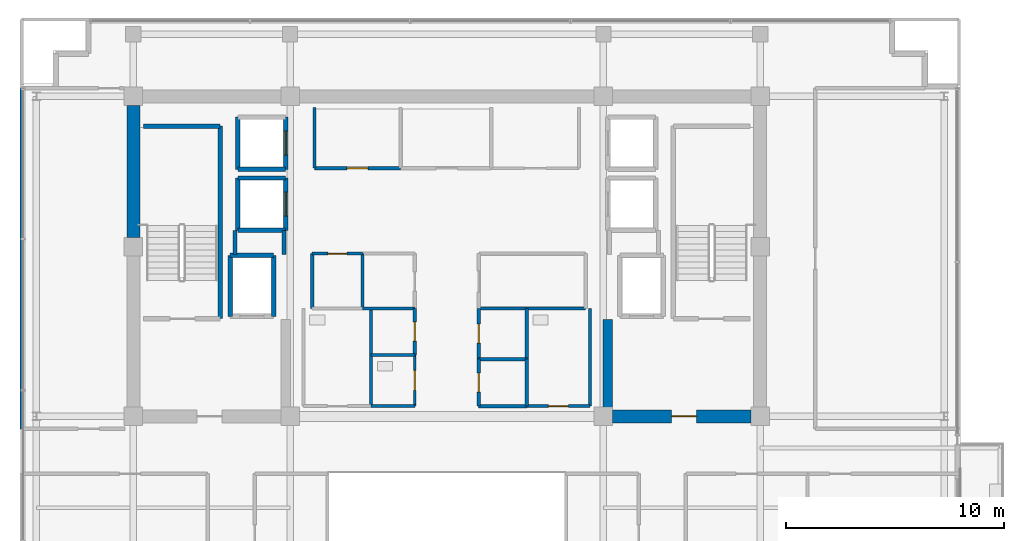
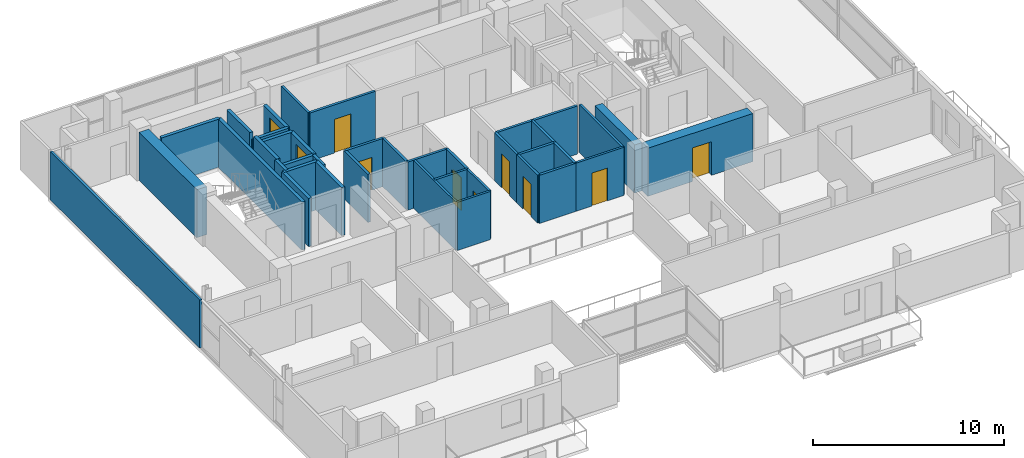
# One storey, part 16 of 22: 38 walls, 10 doors, 10 openings.
"""IFC4 building model written with IfcOpenShell, lengths in metres."""

from ifc_helpers import new_model, si_unit, direction, frame, frame_2d, origin, place, context, subcontext, project, spatial, rectangle, extrude, source, transform, mapped, material, layer, layer_set, type_object, element, fill, save


model = new_model("IFC4")

# Units and contexts
model_context = context("Model", 3, precision=1e-05, world=origin(), true_north=direction((0.0, 1.0)))
body_context = subcontext(model_context, "Body", "Model", "MODEL_VIEW")
ifc_project = project(units=[si_unit("LENGTHUNIT", "METRE"), si_unit("AREAUNIT", "SQUARE_METRE"), si_unit("VOLUMEUNIT", "CUBIC_METRE"), si_unit("PLANEANGLEUNIT", "RADIAN"), si_unit("MASSUNIT", "GRAM", prefix="KILO")], contexts=[model_context])

# Site, building, storey
site_placement = place(None, origin())
site = spatial("IfcSite", under=ifc_project, at=site_placement, CompositionType="ELEMENT")
building_placement = place(site_placement, origin())
building = spatial("IfcBuilding", under=site, at=building_placement, Name="Zarnakvel Exchange Tower", CompositionType="ELEMENT")
storey_placement = place(building_placement, frame((0.0, 0.0, 245.199951171875)))
storey = spatial("IfcBuildingStorey", under=building, at=storey_placement, Name="L69", CompositionType="ELEMENT", Elevation=245.199951171875)

# Wall
ifc_material_1 = material(Name="Concrete C50/60", Category="concrete")
ifc_layer_1 = layer(ifc_material_1, 0.60009765625)
ifc_layer_set_1 = layer_set([ifc_layer_1], Name="Concrete C50/60")
wall_type_1 = type_object("IfcWallType", Name="CW-C5", PredefinedType="SHEAR", material=ifc_layer_set_1)
wall_1_placement = place(storey_placement, frame((-14.39990234375, 7.02490234375, 0.0), z_axis=(0.0, 0.0, 1.0), x_axis=(0.0, 1.0, 0.0)))
element("IfcWall", 1, at=wall_1_placement, inside=storey, type_object=wall_type_1, Name="L69 Rear Core Shear Wall W2 (CW-C5)", PredefinedType="SHEAR", context=body_context, shape_type="SweptSolid", body=[
    extrude(rectangle(XDim=6.050048828125, YDim=0.60009765625, at=frame_2d((3.02490234375, 0.0))), origin(), (0.0, 0.0, 1.0), 3.074951171875),
])

# Wall, opening, door
wall_2_placement = place(storey_placement, frame((13.97509765625, -1.199951171875, 0.0), z_axis=(0.0, 0.0, 1.0), x_axis=(-1.0, 0.0, 0.0)))
wall_2 = element("IfcWall", 2, at=wall_2_placement, inside=storey, type_object=wall_type_1, Name="L69 Rear Core Shear Wall SE (CW-C5)", PredefinedType="SHEAR", context=body_context, shape_type="SweptSolid", body=[
    extrude(rectangle(XDim=6.35009765625, YDim=0.60009765625, at=frame_2d((3.175048828125, 0.0))), origin(), (0.0, 0.0, 1.0), 3.074951171875),
])
opening_1_placement = place(wall_2_placement, frame((2.5, 0.0, 0.0)))
opening_1 = element("IfcOpeningElement", 3, at=opening_1_placement, cuts=wall_2, Name="Opening D-L69-04", PredefinedType="OPENING", context=body_context, shape_type="SweptSolid", body=[
    extrude(rectangle(XDim=1.14990234375, YDim=2.14990234375, at=frame_2d((0.574951171875, 1.074951171875))), frame((0.0, 0.31005859375, 0.0), z_axis=(0.0, -1.0, 0.0), x_axis=(1.0, 0.0, 0.0)), (0.0, 0.0, 1.0), 0.6201171875),
])
ifc_material_2 = material(Name="Painted Galvanised Steel S355", Category="steel")
door_type_1 = type_object("IfcDoorType", Name="DT-04", OperationType="NOTDEFINED", PredefinedType="DOOR", material=ifc_material_2)
shared_shape_1 = source(origin(), body_context, "Body", "SweptSolid", [
    extrude(rectangle(XDim=1.14990234375, YDim=2.14990234375, at=frame_2d((0.574951171875, 1.074951171875))), frame((0.0, 0.02490234375, 0.0), z_axis=(0.0, -1.0, 0.0), x_axis=(1.0, 0.0, 0.0)), (0.0, 0.0, 1.0), 0.050048828125),
])
door_1_placement = place(opening_1_placement, origin())
door_1 = element("IfcDoor", 4, at=door_1_placement, inside=storey, type_object=door_type_1, Name="L69 Firefighting Lobby East Door D-L69-04", OperationType="SINGLE_SWING_RIGHT", OverallHeight=2.14990234375, OverallWidth=1.14990234375, PredefinedType="DOOR", context=body_context, shape_type="MappedRepresentation", body=[
    mapped(shared_shape_1, transform((0.0, 0.0, 0.0), x_axis=(1.0, 0.0, 0.0), y_axis=(0.0, 1.0, 0.0), z_axis=(0.0, 0.0, 1.0), scale=1.0)),
])
fill(opening_1, door_1)

# Wall
ifc_layer_2 = layer(ifc_material_1, 0.449951171875)
ifc_layer_set_2 = layer_set([ifc_layer_2], Name="Concrete C50/60")
wall_type_2 = type_object("IfcWallType", Name="CW-C6", PredefinedType="SHEAR", material=ifc_layer_set_2)
wall_3_placement = place(storey_placement, frame((7.39990234375, -0.89990234375, 0.0), z_axis=(0.0, 0.0, 1.0), x_axis=(0.0, 1.0, 0.0)))
element("IfcWall", 5, at=wall_3_placement, inside=storey, type_object=wall_type_2, Name="L69 Rear Core Shear Wall IE (CW-C6)", PredefinedType="SHEAR", context=body_context, shape_type="SweptSolid", body=[
    extrude(rectangle(XDim=4.14990234375, YDim=0.449951171875, at=frame_2d((2.074951171875, 0.0))), origin(), (0.0, 0.0, 1.0), 3.074951171875),
])

# Wall, opening, door
ifc_material_3 = material(Name="Fire-Rated Gypsum Stud Partition", Category="gypsum")
ifc_layer_3 = layer(ifc_material_3, 0.14990234375)
ifc_layer_set_3 = layer_set([ifc_layer_3], Name="Fire-Rated Gypsum Stud Partition")
wall_type_3 = type_object("IfcWallType", Name="PT-01", PredefinedType="PARTITIONING", material=ifc_layer_set_3)
wall_4_placement = place(storey_placement, frame((-2.1201171875, 10.199951171875, 0.0), z_axis=(0.0, 0.0, 1.0), x_axis=(-1.0, 0.0, 0.0)))
wall_4 = element("IfcWall", 6, at=wall_4_placement, inside=storey, type_object=wall_type_3, Name="L69 Partition Wall PWALL-L69-011 (PT-01)", PredefinedType="PARTITIONING", context=body_context, shape_type="SweptSolid", body=[
    extrude(rectangle(XDim=3.9599609375, YDim=0.14990234375, at=frame_2d((1.97998046875, 0.0))), origin(), (0.0, 0.0, 1.0), 3.074951171875),
])
opening_2_placement = place(wall_4_placement, frame((1.489990234375, 0.0, 0.0)))
opening_2 = element("IfcOpeningElement", 7, at=opening_2_placement, cuts=wall_4, Name="Opening D-L69-05", PredefinedType="OPENING", context=body_context, shape_type="SweptSolid", body=[
    extrude(rectangle(XDim=0.97998046875, YDim=2.14990234375, at=frame_2d((0.489990234375, 1.074951171875))), frame((0.0, 0.0849609375, 0.0), z_axis=(0.0, -1.0, 0.0), x_axis=(1.0, 0.0, 0.0)), (0.0, 0.0, 1.0), 0.169921875),
])
ifc_material_4 = material(Name="Timber Acoustic Veneer", Category="wood")
door_type_2 = type_object("IfcDoorType", Name="DT-05", OperationType="NOTDEFINED", PredefinedType="DOOR", material=ifc_material_4)
shared_shape_2 = source(origin(), body_context, "Body", "SweptSolid", [
    extrude(rectangle(XDim=0.97998046875, YDim=2.14990234375, at=frame_2d((0.489990234375, 1.074951171875))), frame((0.0, 0.02490234375, 0.0), z_axis=(0.0, -1.0, 0.0), x_axis=(1.0, 0.0, 0.0)), (0.0, 0.0, 1.0), 0.050048828125),
])
door_2_placement = place(opening_2_placement, origin())
door_2 = element("IfcDoor", 8, at=door_2_placement, inside=storey, type_object=door_type_2, Name="L69 Clearing Records Office Door D-L69-05", OperationType="SINGLE_SWING_LEFT", OverallHeight=2.14990234375, OverallWidth=0.97998046875, PredefinedType="DOOR", context=body_context, shape_type="MappedRepresentation", body=[
    mapped(shared_shape_2, transform((0.0, 0.0, 0.0), x_axis=(1.0, 0.0, 0.0), y_axis=(0.0, 1.0, 0.0), z_axis=(0.0, 0.0, 1.0), scale=1.0)),
])
fill(opening_2, door_2)

# Wall
wall_5_placement = place(storey_placement, frame((-6.080078125, 10.199951171875, 0.0), z_axis=(0.0, 0.0, 1.0), x_axis=(0.0, 1.0, 0.0)))
element("IfcWall", 9, at=wall_5_placement, inside=storey, type_object=wall_type_3, Name="L69 Partition Wall PWALL-L69-012 (PT-01)", PredefinedType="PARTITIONING", context=body_context, shape_type="SweptSolid", body=[
    extrude(rectangle(XDim=2.800048828125, YDim=0.14990234375, at=frame_2d((1.39990234375, 0.0))), origin(), (0.0, 0.0, 1.0), 3.074951171875),
])

# Wall, opening, door
wall_6_placement = place(storey_placement, frame((-6.179931640625, 6.280029296875, 0.0), z_axis=(0.0, 0.0, 1.0), x_axis=(1.0, 0.0, 0.0)))
wall_6 = element("IfcWall", 10, at=wall_6_placement, inside=storey, type_object=wall_type_3, Name="L69 Partition Wall PWALL-L69-019 (PT-01)", PredefinedType="PARTITIONING", context=body_context, shape_type="SweptSolid", body=[
    extrude(rectangle(XDim=2.309814453125, YDim=0.14990234375, at=frame_2d((1.15478515625, 0.0))), origin(), (0.0, 0.0, 1.0), 3.074951171875),
])
opening_3_placement = place(wall_6_placement, frame((0.719970703125, 0.0, 0.0)))
opening_3 = element("IfcOpeningElement", 11, at=opening_3_placement, cuts=wall_6, Name="Opening D-L69-08", PredefinedType="OPENING", context=body_context, shape_type="SweptSolid", body=[
    extrude(rectangle(XDim=0.8798828125, YDim=2.10009765625, at=frame_2d((0.43994140625, 1.050048828125))), frame((0.0, 0.0849609375, 0.0), z_axis=(0.0, -1.0, 0.0), x_axis=(1.0, 0.0, 0.0)), (0.0, 0.0, 1.0), 0.169921875),
])
door_type_3 = type_object("IfcDoorType", Name="DT-08", OperationType="NOTDEFINED", PredefinedType="DOOR", material=ifc_material_2)
shared_shape_3 = source(origin(), body_context, "Body", "SweptSolid", [
    extrude(rectangle(XDim=0.8798828125, YDim=2.10009765625, at=frame_2d((0.43994140625, 1.050048828125))), frame((0.0, 0.02490234375, 0.0), z_axis=(0.0, -1.0, 0.0), x_axis=(1.0, 0.0, 0.0)), (0.0, 0.0, 1.0), 0.050048828125),
])
door_3_placement = place(opening_3_placement, origin())
door_3 = element("IfcDoor", 12, at=door_3_placement, inside=storey, type_object=door_type_3, Name="L69 Audit Filing Store Door D-L69-08", OperationType="SINGLE_SWING_RIGHT", OverallHeight=2.10009765625, OverallWidth=0.8798828125, PredefinedType="DOOR", context=body_context, shape_type="MappedRepresentation", body=[
    mapped(shared_shape_3, transform((0.0, 0.0, 0.0), x_axis=(1.0, 0.0, 0.0), y_axis=(0.0, 1.0, 0.0), z_axis=(0.0, 0.0, 1.0), scale=1.0)),
])
fill(opening_3, door_3)

# Walls
for number, where, z_axis, x_axis, name in (
    (13, (-6.179931640625, 3.760009765625, 0.0), (0.0, 0.0, 1.0), (0.0, 1.0, 0.0), "L69 Partition Wall PWALL-L69-020 (PT-01)"),
    (14, (-3.8701171875, 6.280029296875, 0.0), (0.0, 0.0, 1.0), (0.0, -1.0, 0.0), "L69 Partition Wall PWALL-L69-021 (PT-01)"),
):
    element("IfcWall", number, at=place(storey_placement, frame(where, z_axis=z_axis, x_axis=x_axis)), inside=storey, type_object=wall_type_3, Name=name, PredefinedType="PARTITIONING", context=body_context, shape_type="SweptSolid", body=[
        extrude(rectangle(XDim=2.52001953125, YDim=0.14990234375, at=frame_2d((1.260009765625, 0.0))), origin(), (0.0, 0.0, 1.0), 3.074951171875),
    ])
wall_7_placement = place(storey_placement, frame((-1.469970703125, 3.760009765625, 0.0), z_axis=(0.0, 0.0, 1.0), x_axis=(-1.0, 0.0, 0.0)))
element("IfcWall", 15, at=wall_7_placement, inside=storey, type_object=wall_type_3, Name="L69 Partition Wall PWALL-L69-022 (PT-01)", PredefinedType="PARTITIONING", context=body_context, shape_type="SweptSolid", body=[
    extrude(rectangle(XDim=2.400146484375, YDim=0.14990234375, at=frame_2d((1.2001953125, 0.0))), origin(), (0.0, 0.0, 1.0), 3.074951171875),
])
wall_8_placement = place(storey_placement, frame((6.3798828125, 3.760009765625, 0.0), z_axis=(0.0, 0.0, 1.0), x_axis=(-1.0, 0.0, 0.0)))
element("IfcWall", 16, at=wall_8_placement, inside=storey, type_object=wall_type_3, Name="L69 Partition Wall PWALL-L69-025 (PT-01)", PredefinedType="PARTITIONING", context=body_context, shape_type="SweptSolid", body=[
    extrude(rectangle(XDim=4.909912109375, YDim=0.14990234375, at=frame_2d((2.455078125, 0.0))), origin(), (0.0, 0.0, 1.0), 3.074951171875),
])

# Wall, opening, door
wall_9_placement = place(storey_placement, frame((-1.469970703125, 3.760009765625, 0.0), z_axis=(0.0, 0.0, 1.0), x_axis=(0.0, -1.0, 0.0)))
wall_9 = element("IfcWall", 17, at=wall_9_placement, inside=storey, type_object=wall_type_3, Name="L69 Partition Wall PWALL-L69-035 (PT-01)", PredefinedType="PARTITIONING", context=body_context, shape_type="SweptSolid", body=[
    extrude(rectangle(XDim=2.130126953125, YDim=0.14990234375, at=frame_2d((1.06494140625, 0.0))), origin(), (0.0, 0.0, 1.0), 3.074951171875),
])
opening_4_placement = place(wall_9_placement, frame((0.6201171875, 0.0, 0.0)))
opening_4 = element("IfcOpeningElement", 18, at=opening_4_placement, cuts=wall_9, Name="Opening D-L69-13", PredefinedType="OPENING", context=body_context, shape_type="SweptSolid", body=[
    extrude(rectangle(XDim=0.8798828125, YDim=2.10009765625, at=frame_2d((0.43994140625, 1.050048828125))), frame((0.0, 0.0849609375, 0.0), z_axis=(0.0, -1.0, 0.0), x_axis=(1.0, 0.0, 0.0)), (0.0, 0.0, 1.0), 0.169921875),
])
door_4_placement = place(opening_4_placement, origin())
door_4 = element("IfcDoor", 19, at=door_4_placement, inside=storey, type_object=door_type_3, Name="L69 Core Comms Room Door D-L69-13", OperationType="SINGLE_SWING_LEFT", OverallHeight=2.10009765625, OverallWidth=0.8798828125, PredefinedType="DOOR", context=body_context, shape_type="MappedRepresentation", body=[
    mapped(shared_shape_3, transform((0.0, 0.0, 0.0), x_axis=(1.0, 0.0, 0.0), y_axis=(0.0, 1.0, 0.0), z_axis=(0.0, 0.0, 1.0), scale=1.0)),
])
fill(opening_4, door_4)

# Walls
for number, where, z_axis, x_axis, name in (
    (20, (3.679931640625, -0.72998046875, 0.0), (0.0, 0.0, 1.0), (-1.0, 0.0, 0.0), "L69 Partition Wall PWALL-L69-036 (PT-01)"),
    (21, (1.469970703125, 1.429931640625, 0.0), (0.0, 0.0, 1.0), (1.0, 0.0, 0.0), "L69 Partition Wall PWALL-L69-037 (PT-01)"),
):
    element("IfcWall", number, at=place(storey_placement, frame(where, z_axis=z_axis, x_axis=x_axis)), inside=storey, type_object=wall_type_3, Name=name, PredefinedType="PARTITIONING", context=body_context, shape_type="SweptSolid", body=[
        extrude(rectangle(XDim=2.2099609375, YDim=0.14990234375, at=frame_2d((1.10498046875, 0.0))), origin(), (0.0, 0.0, 1.0), 3.074951171875),
    ])

# Wall, opening, door
wall_10_placement = place(storey_placement, frame((1.469970703125, -0.72998046875, 0.0), z_axis=(0.0, 0.0, 1.0), x_axis=(0.0, 1.0, 0.0)))
wall_10 = element("IfcWall", 22, at=wall_10_placement, inside=storey, type_object=wall_type_3, Name="L69 Partition Wall PWALL-L69-038 (PT-01)", PredefinedType="PARTITIONING", context=body_context, shape_type="SweptSolid", body=[
    extrude(rectangle(XDim=2.159912109375, YDim=0.14990234375, at=frame_2d((1.080078125, 0.0))), origin(), (0.0, 0.0, 1.0), 3.074951171875),
])
opening_5_placement = place(wall_10_placement, frame((0.639892578125, 0.0, 0.0)))
opening_5 = element("IfcOpeningElement", 23, at=opening_5_placement, cuts=wall_10, Name="Opening D-L69-14", PredefinedType="OPENING", context=body_context, shape_type="SweptSolid", body=[
    extrude(rectangle(XDim=0.8798828125, YDim=2.10009765625, at=frame_2d((0.43994140625, 1.050048828125))), frame((0.0, 0.0849609375, 0.0), z_axis=(0.0, -1.0, 0.0), x_axis=(1.0, 0.0, 0.0)), (0.0, 0.0, 1.0), 0.169921875),
])
door_5_placement = place(opening_5_placement, origin())
door_5 = element("IfcDoor", 24, at=door_5_placement, inside=storey, type_object=door_type_3, Name="L69 Janitor Store Door D-L69-14", OperationType="SINGLE_SWING_RIGHT", OverallHeight=2.10009765625, OverallWidth=0.8798828125, PredefinedType="DOOR", context=body_context, shape_type="MappedRepresentation", body=[
    mapped(shared_shape_3, transform((0.0, 0.0, 0.0), x_axis=(1.0, 0.0, 0.0), y_axis=(0.0, 1.0, 0.0), z_axis=(0.0, 0.0, 1.0), scale=1.0)),
])
fill(opening_5, door_5)

# Wall
wall_11_placement = place(storey_placement, frame((3.679931640625, 1.429931640625, 0.0), z_axis=(0.0, 0.0, 1.0), x_axis=(0.0, -1.0, 0.0)))
element("IfcWall", 25, at=wall_11_placement, inside=storey, type_object=wall_type_3, Name="L69 Partition Wall PWALL-L69-039 (PT-01)", PredefinedType="PARTITIONING", context=body_context, shape_type="SweptSolid", body=[
    extrude(rectangle(XDim=2.159912109375, YDim=0.14990234375, at=frame_2d((1.080078125, 0.0))), origin(), (0.0, 0.0, 1.0), 3.074951171875),
])

# Wall, opening, door
wall_12_placement = place(storey_placement, frame((1.469970703125, 1.429931640625, 0.0), z_axis=(0.0, 0.0, 1.0), x_axis=(0.0, 1.0, 0.0)))
wall_12 = element("IfcWall", 26, at=wall_12_placement, inside=storey, type_object=wall_type_3, Name="L69 Partition Wall PWALL-L69-040 (PT-01)", PredefinedType="PARTITIONING", context=body_context, shape_type="SweptSolid", body=[
    extrude(rectangle(XDim=2.330078125, YDim=0.14990234375, at=frame_2d((1.1650390625, 0.0))), origin(), (0.0, 0.0, 1.0), 3.074951171875),
])
opening_6_placement = place(wall_12_placement, frame((0.72998046875, 0.0, 0.0)))
opening_6 = element("IfcOpeningElement", 27, at=opening_6_placement, cuts=wall_12, Name="Opening D-L69-15", PredefinedType="OPENING", context=body_context, shape_type="SweptSolid", body=[
    extrude(rectangle(XDim=0.8798828125, YDim=2.14990234375, at=frame_2d((0.43994140625, 1.074951171875))), frame((0.0, 0.0849609375, 0.0), z_axis=(0.0, -1.0, 0.0), x_axis=(1.0, 0.0, 0.0)), (0.0, 0.0, 1.0), 0.169921875),
])
shared_shape_4 = source(origin(), body_context, "Body", "SweptSolid", [
    extrude(rectangle(XDim=0.8798828125, YDim=2.14990234375, at=frame_2d((0.43994140625, 1.074951171875))), frame((0.0, 0.02490234375, 0.0), z_axis=(0.0, -1.0, 0.0), x_axis=(1.0, 0.0, 0.0)), (0.0, 0.0, 1.0), 0.050048828125),
])
door_6_placement = place(opening_6_placement, origin())
door_6 = element("IfcDoor", 28, at=door_6_placement, inside=storey, type_object=door_type_2, Name="L69 Stationery Store Door D-L69-15", OperationType="SINGLE_SWING_LEFT", OverallHeight=2.14990234375, OverallWidth=0.8798828125, PredefinedType="DOOR", context=body_context, shape_type="MappedRepresentation", body=[
    mapped(shared_shape_4, transform((0.0, 0.0, 0.0), x_axis=(1.0, 0.0, 0.0), y_axis=(0.0, 1.0, 0.0), z_axis=(0.0, 0.0, 1.0), scale=1.0)),
])
fill(opening_6, door_6)

# Walls
wall_13_placement = place(storey_placement, frame((3.679931640625, 3.760009765625, 0.0), z_axis=(0.0, 0.0, 1.0), x_axis=(0.0, -1.0, 0.0)))
element("IfcWall", 29, at=wall_13_placement, inside=storey, type_object=wall_type_3, Name="L69 Partition Wall PWALL-L69-041 (PT-01)", PredefinedType="PARTITIONING", context=body_context, shape_type="SweptSolid", body=[
    extrude(rectangle(XDim=2.330078125, YDim=0.14990234375, at=frame_2d((1.1650390625, 0.0))), origin(), (0.0, 0.0, 1.0), 3.074951171875),
])
wall_14_placement = place(storey_placement, frame((-19.530029296875, -1.77001953125, 0.0), z_axis=(0.0, 0.0, 1.0), x_axis=(0.0, 1.0, 0.0)))
element("IfcWall", 30, at=wall_14_placement, inside=storey, type_object=wall_type_3, Name="L69 Partition Wall PWALL-L69-073 (PT-01)", PredefinedType="PARTITIONING", context=body_context, shape_type="SweptSolid", body=[
    extrude(rectangle(XDim=15.64990234375, YDim=0.14990234375, at=frame_2d((7.824951171875, 0.0))), origin(), (0.0, 0.0, 1.0), 3.074951171875),
])
ifc_layer_4 = layer(ifc_material_3, 0.179931640625)
ifc_layer_set_4 = layer_set([ifc_layer_4], Name="Fire-Rated Gypsum Stud Partition")
wall_type_4 = type_object("IfcWallType", Name="PT-02", PredefinedType="PARTITIONING", material=ifc_layer_set_4)
wall_15_placement = place(storey_placement, frame((-9.72998046875, 6.239990234375, 0.0), z_axis=(0.0, 0.0, 1.0), x_axis=(0.0, 1.0, 0.0)))
element("IfcWall", 31, at=wall_15_placement, inside=storey, type_object=wall_type_4, Name="L69 Partition Wall PWALL-L69-007 (PT-02)", PredefinedType="PARTITIONING", context=body_context, shape_type="SweptSolid", body=[
    extrude(rectangle(XDim=1.090087890625, YDim=0.179931640625, at=frame_2d((0.544921875, 0.0))), origin(), (0.0, 0.0, 1.0), 3.074951171875),
])
wall_16_placement = place(storey_placement, frame((-7.469970703125, 7.330078125, 0.0), z_axis=(0.0, 0.0, 1.0), x_axis=(0.0, -1.0, 0.0)))
element("IfcWall", 32, at=wall_16_placement, inside=storey, type_object=wall_type_4, Name="L69 Partition Wall PWALL-L69-008 (PT-02)", PredefinedType="PARTITIONING", context=body_context, shape_type="SweptSolid", body=[
    extrude(rectangle(XDim=1.090087890625, YDim=0.179931640625, at=frame_2d((0.544921875, 0.0))), origin(), (0.0, 0.0, 1.0), 2.614990234375),
])
ifc_material_5 = material(Name="Moisture-Resistant Tile-Faced Partition", Category="gypsum")
ifc_layer_5 = layer(ifc_material_5, 0.135009765625)
ifc_layer_set_5 = layer_set([ifc_layer_5], Name="Moisture-Resistant Tile-Faced Partition")
wall_type_5 = type_object("IfcWallType", Name="PT-03", PredefinedType="PARTITIONING", material=ifc_layer_set_5)
wall_17_placement = place(storey_placement, frame((-3.469970703125, 3.760009765625, 0.0), z_axis=(0.0, 0.0, 1.0), x_axis=(0.0, -1.0, 0.0)))
element("IfcWall", 33, at=wall_17_placement, inside=storey, type_object=wall_type_5, Name="L69 Partition Wall PWALL-L69-031 (PT-03)", PredefinedType="PARTITIONING", context=body_context, shape_type="SweptSolid", body=[
    extrude(rectangle(XDim=4.489990234375, YDim=0.135009765625, at=frame_2d((2.2451171875, 0.0))), origin(), (0.0, 0.0, 1.0), 3.074951171875),
])
for number, where, z_axis, x_axis, name in (
    (34, (-1.469970703125, -0.72998046875, 0.0), (0.0, 0.0, 1.0), (-1.0, 0.0, 0.0), "L69 Partition Wall PWALL-L69-032 (PT-03)"),
    (35, (-3.469970703125, 1.6298828125, 0.0), (0.0, 0.0, 1.0), (1.0, 0.0, 0.0), "L69 Partition Wall PWALL-L69-033 (PT-03)"),
):
    element("IfcWall", number, at=place(storey_placement, frame(where, z_axis=z_axis, x_axis=x_axis)), inside=storey, type_object=wall_type_5, Name=name, PredefinedType="PARTITIONING", context=body_context, shape_type="SweptSolid", body=[
        extrude(rectangle(XDim=2.0, YDim=0.135009765625, at=frame_2d((1.0, 0.0))), origin(), (0.0, 0.0, 1.0), 3.074951171875),
    ])

# Wall, opening, door
wall_18_placement = place(storey_placement, frame((-1.469970703125, 1.6298828125, 0.0), z_axis=(0.0, 0.0, 1.0), x_axis=(0.0, -1.0, 0.0)))
wall_18 = element("IfcWall", 36, at=wall_18_placement, inside=storey, type_object=wall_type_5, Name="L69 Partition Wall PWALL-L69-034 (PT-03)", PredefinedType="PARTITIONING", context=body_context, shape_type="SweptSolid", body=[
    extrude(rectangle(XDim=2.35986328125, YDim=0.135009765625, at=frame_2d((1.179931640625, 0.0))), origin(), (0.0, 0.0, 1.0), 3.074951171875),
])
opening_7_placement = place(wall_18_placement, frame((0.719970703125, 0.0, 0.0)))
opening_7 = element("IfcOpeningElement", 37, at=opening_7_placement, cuts=wall_18, Name="Opening D-L69-12", PredefinedType="OPENING", context=body_context, shape_type="SweptSolid", body=[
    extrude(rectangle(XDim=0.919921875, YDim=2.10009765625, at=frame_2d((0.4599609375, 1.050048828125))), frame((0.0, 0.077392578125, 0.0), z_axis=(0.0, -1.0, 0.0), x_axis=(1.0, 0.0, 0.0)), (0.0, 0.0, 1.0), 0.155029296875),
])
ifc_material_6 = material(Name="Moisture-Resistant Laminate Timber", Category="wood")
door_type_4 = type_object("IfcDoorType", Name="DT-07", OperationType="NOTDEFINED", PredefinedType="DOOR", material=ifc_material_6)
shared_shape_5 = source(origin(), body_context, "Body", "SweptSolid", [
    extrude(rectangle(XDim=0.919921875, YDim=2.10009765625, at=frame_2d((0.4599609375, 1.050048828125))), frame((0.0, 0.02490234375, 0.0), z_axis=(0.0, -1.0, 0.0), x_axis=(1.0, 0.0, 0.0)), (0.0, 0.0, 1.0), 0.050048828125),
])
door_7_placement = place(opening_7_placement, origin())
door_7 = element("IfcDoor", 38, at=door_7_placement, inside=storey, type_object=door_type_4, Name="L69 Accessible Toilet Door D-L69-12", OperationType="SINGLE_SWING_RIGHT", OverallHeight=2.10009765625, OverallWidth=0.919921875, PredefinedType="DOOR", context=body_context, shape_type="MappedRepresentation", body=[
    mapped(shared_shape_5, transform((0.0, 0.0, 0.0), x_axis=(1.0, 0.0, 0.0), y_axis=(0.0, 1.0, 0.0), z_axis=(0.0, 0.0, 1.0), scale=1.0)),
])
fill(opening_7, door_7)

wall_19_placement = place(storey_placement, frame((6.580078125, -0.72998046875, 0.0), z_axis=(0.0, 0.0, 1.0), x_axis=(-1.0, 0.0, 0.0)))
wall_19 = element("IfcWall", 39, at=wall_19_placement, inside=storey, type_object=wall_type_5, Name="L69 Partition Wall PWALL-L69-042 (PT-03)", PredefinedType="PARTITIONING", context=body_context, shape_type="SweptSolid", body=[
    extrude(rectangle(XDim=2.900146484375, YDim=0.135009765625, at=frame_2d((1.4501953125, 0.0))), origin(), (0.0, 0.0, 1.0), 3.074951171875),
])
opening_8_placement = place(wall_19_placement, frame((0.989990234375, 0.0, 0.0)))
opening_8 = element("IfcOpeningElement", 40, at=opening_8_placement, cuts=wall_19, Name="Opening D-L69-16", PredefinedType="OPENING", context=body_context, shape_type="SweptSolid", body=[
    extrude(rectangle(XDim=0.919921875, YDim=2.10009765625, at=frame_2d((0.4599609375, 1.050048828125))), frame((0.0, 0.077392578125, 0.0), z_axis=(0.0, -1.0, 0.0), x_axis=(1.0, 0.0, 0.0)), (0.0, 0.0, 1.0), 0.155029296875),
])
door_8_placement = place(opening_8_placement, origin())
door_8 = element("IfcDoor", 41, at=door_8_placement, inside=storey, type_object=door_type_4, Name="L69 Female Toilet Door D-L69-16", OperationType="SINGLE_SWING_RIGHT", OverallHeight=2.10009765625, OverallWidth=0.919921875, PredefinedType="DOOR", context=body_context, shape_type="MappedRepresentation", body=[
    mapped(shared_shape_5, transform((0.0, 0.0, 0.0), x_axis=(1.0, 0.0, 0.0), y_axis=(0.0, 1.0, 0.0), z_axis=(0.0, 0.0, 1.0), scale=1.0)),
])
fill(opening_8, door_8)

# Walls
wall_20_placement = place(storey_placement, frame((6.580078125, 3.760009765625, 0.0), z_axis=(0.0, 0.0, 1.0), x_axis=(0.0, -1.0, 0.0)))
element("IfcWall", 42, at=wall_20_placement, inside=storey, type_object=wall_type_5, Name="L69 Partition Wall PWALL-L69-043 (PT-03)", PredefinedType="PARTITIONING", context=body_context, shape_type="SweptSolid", body=[
    extrude(rectangle(XDim=4.489990234375, YDim=0.135009765625, at=frame_2d((2.2451171875, 0.0))), origin(), (0.0, 0.0, 1.0), 3.074951171875),
])
ifc_material_7 = material(Name="Concrete C40/50", Category="concrete")
ifc_layer_6 = layer(ifc_material_7, 0.199951171875)
ifc_layer_set_6 = layer_set([ifc_layer_6], Name="Concrete C40/50")
wall_type_6 = type_object("IfcWallType", Name="SW-01", PredefinedType="SOLIDWALL", material=ifc_layer_set_6)
wall_21_placement = place(storey_placement, frame((-9.949951171875, 6.199951171875, 0.0), z_axis=(0.0, 0.0, 1.0), x_axis=(1.0, 0.0, 0.0)))
element("IfcWall", 43, at=wall_21_placement, inside=storey, type_object=wall_type_6, Name="L69 FL-01 Hoistway Wall North", PredefinedType="SOLIDWALL", context=body_context, shape_type="SweptSolid", body=[
    extrude(rectangle(XDim=2.0, YDim=0.199951171875, at=frame_2d((1.0, 0.0))), origin(), (0.0, 0.0, 1.0), 3.074951171875),
])
for number, where, z_axis, x_axis, name in (
    (44, (-9.949951171875, 3.39990234375, 0.0), (0.0, 0.0, 1.0), (0.0, 1.0, 0.0), "L69 FL-01 Hoistway Wall West"),
    (45, (-7.949951171875, 6.199951171875, 0.0), (0.0, 0.0, 1.0), (0.0, -1.0, 0.0), "L69 FL-01 Hoistway Wall East"),
):
    element("IfcWall", number, at=place(storey_placement, frame(where, z_axis=z_axis, x_axis=x_axis)), inside=storey, type_object=wall_type_6, Name=name, PredefinedType="SOLIDWALL", context=body_context, shape_type="SweptSolid", body=[
        extrude(rectangle(XDim=2.800048828125, YDim=0.199951171875, at=frame_2d((1.39990234375, 0.0))), origin(), (0.0, 0.0, 1.0), 3.074951171875),
    ])
for number, where, z_axis, x_axis, name in (
    (46, (-7.39990234375, 7.35009765625, 0.0), (0.0, 0.0, 1.0), (-1.0, 0.0, 0.0), "L69 PL-09 Hoistway Wall South"),
    (47, (-9.60009765625, 9.75, 0.0), (0.0, 0.0, 1.0), (1.0, 0.0, 0.0), "L69 PL-09 Hoistway Wall North"),
):
    element("IfcWall", number, at=place(storey_placement, frame(where, z_axis=z_axis, x_axis=x_axis)), inside=storey, type_object=wall_type_6, Name=name, PredefinedType="SOLIDWALL", context=body_context, shape_type="SweptSolid", body=[
        extrude(rectangle(XDim=2.2001953125, YDim=0.199951171875, at=frame_2d((1.10009765625, 0.0))), origin(), (0.0, 0.0, 1.0), 2.614990234375),
    ])
wall_22_placement = place(storey_placement, frame((-9.60009765625, 7.35009765625, 0.0), z_axis=(0.0, 0.0, 1.0), x_axis=(0.0, 1.0, 0.0)))
element("IfcWall", 48, at=wall_22_placement, inside=storey, type_object=wall_type_6, Name="L69 PL-09 Hoistway Wall West", PredefinedType="SOLIDWALL", context=body_context, shape_type="SweptSolid", body=[
    extrude(rectangle(XDim=2.39990234375, YDim=0.199951171875, at=frame_2d((1.199951171875, 0.0))), origin(), (0.0, 0.0, 1.0), 3.074951171875),
])

# Wall, opening, door
wall_23_placement = place(storey_placement, frame((-7.39990234375, 9.75, 0.0), z_axis=(0.0, 0.0, 1.0), x_axis=(0.0, -1.0, 0.0)))
wall_23 = element("IfcWall", 49, at=wall_23_placement, inside=storey, type_object=wall_type_6, Name="L69 PL-09 Hoistway Wall East", PredefinedType="SOLIDWALL", context=body_context, shape_type="SweptSolid", body=[
    extrude(rectangle(XDim=2.39990234375, YDim=0.199951171875, at=frame_2d((1.199951171875, 0.0))), origin(), (0.0, 0.0, 1.0), 2.614990234375),
])
opening_9_placement = place(wall_23_placement, frame((0.64990234375, 0.0, 0.0)))
opening_9 = element("IfcOpeningElement", 50, at=opening_9_placement, cuts=wall_23, Name="Opening LD-PL-09-L69", PredefinedType="OPENING", context=body_context, shape_type="SweptSolid", body=[
    extrude(rectangle(XDim=1.10009765625, YDim=2.199951171875, at=frame_2d((0.550048828125, 1.10009765625))), frame((0.0, 0.10986328125, 0.0), z_axis=(0.0, -1.0, 0.0), x_axis=(1.0, 0.0, 0.0)), (0.0, 0.0, 1.0), 0.219970703125),
])
ifc_material_8 = material(Name="Architectural Bronze Anodised Aluminium", Category="aluminium")
door_type_5 = type_object("IfcDoorType", Name="LDT-02", OperationType="NOTDEFINED", PredefinedType="DOOR", material=ifc_material_8)
shared_shape_6 = source(origin(), body_context, "Body", "SweptSolid", [
    extrude(rectangle(XDim=1.10009765625, YDim=2.199951171875, at=frame_2d((0.550048828125, 1.10009765625))), frame((0.0, 0.02490234375, 0.0), z_axis=(0.0, -1.0, 0.0), x_axis=(1.0, 0.0, 0.0)), (0.0, 0.0, 1.0), 0.050048828125),
])
door_9_placement = place(opening_9_placement, origin())
door_9 = element("IfcDoor", 51, at=door_9_placement, inside=storey, type_object=door_type_5, Name="L69 PL-09 Lift Landing Door LD-PL-09-L69", OperationType="DOUBLE_DOOR_SLIDING", OverallHeight=2.199951171875, OverallWidth=1.10009765625, PredefinedType="DOOR", context=body_context, shape_type="MappedRepresentation", body=[
    mapped(shared_shape_6, transform((0.0, 0.0, 0.0), x_axis=(1.0, 0.0, 0.0), y_axis=(0.0, 1.0, 0.0), z_axis=(0.0, 0.0, 1.0), scale=1.0)),
])
fill(opening_9, door_9)

# Walls
wall_24_placement = place(storey_placement, frame((-7.39990234375, 10.14990234375, 0.0), z_axis=(0.0, 0.0, 1.0), x_axis=(-1.0, 0.0, 0.0)))
element("IfcWall", 52, at=wall_24_placement, inside=storey, type_object=wall_type_6, Name="L69 PL-10 Hoistway Wall South", PredefinedType="SOLIDWALL", context=body_context, shape_type="SweptSolid", body=[
    extrude(rectangle(XDim=2.2001953125, YDim=0.199951171875, at=frame_2d((1.10009765625, 0.0))), origin(), (0.0, 0.0, 1.0), 2.614990234375),
])
wall_25_placement = place(storey_placement, frame((-9.60009765625, 10.14990234375, 0.0), z_axis=(0.0, 0.0, 1.0), x_axis=(0.0, 1.0, 0.0)))
element("IfcWall", 53, at=wall_25_placement, inside=storey, type_object=wall_type_6, Name="L69 PL-10 Hoistway Wall West", PredefinedType="SOLIDWALL", context=body_context, shape_type="SweptSolid", body=[
    extrude(rectangle(XDim=2.400146484375, YDim=0.199951171875, at=frame_2d((1.2001953125, 0.0))), origin(), (0.0, 0.0, 1.0), 3.074951171875),
])

# Wall, opening, door
wall_26_placement = place(storey_placement, frame((-7.39990234375, 12.550048828125, 0.0), z_axis=(0.0, 0.0, 1.0), x_axis=(0.0, -1.0, 0.0)))
wall_26 = element("IfcWall", 54, at=wall_26_placement, inside=storey, type_object=wall_type_6, Name="L69 PL-10 Hoistway Wall East", PredefinedType="SOLIDWALL", context=body_context, shape_type="SweptSolid", body=[
    extrude(rectangle(XDim=2.400146484375, YDim=0.199951171875, at=frame_2d((1.2001953125, 0.0))), origin(), (0.0, 0.0, 1.0), 2.614990234375),
])
opening_10_placement = place(wall_26_placement, frame((0.64990234375, 0.0, 0.0)))
opening_10 = element("IfcOpeningElement", 55, at=opening_10_placement, cuts=wall_26, Name="Opening LD-PL-10-L69", PredefinedType="OPENING", context=body_context, shape_type="SweptSolid", body=[
    extrude(rectangle(XDim=1.10009765625, YDim=2.199951171875, at=frame_2d((0.550048828125, 1.10009765625))), frame((0.0, 0.10986328125, 0.0), z_axis=(0.0, -1.0, 0.0), x_axis=(1.0, 0.0, 0.0)), (0.0, 0.0, 1.0), 0.219970703125),
])
door_10_placement = place(opening_10_placement, origin())
door_10 = element("IfcDoor", 56, at=door_10_placement, inside=storey, type_object=door_type_5, Name="L69 PL-10 Lift Landing Door LD-PL-10-L69", OperationType="DOUBLE_DOOR_SLIDING", OverallHeight=2.199951171875, OverallWidth=1.10009765625, PredefinedType="DOOR", context=body_context, shape_type="MappedRepresentation", body=[
    mapped(shared_shape_6, transform((0.0, 0.0, 0.0), x_axis=(1.0, 0.0, 0.0), y_axis=(0.0, 1.0, 0.0), z_axis=(0.0, 0.0, 1.0), scale=1.0)),
])
fill(opening_10, door_10)

# Walls
ifc_layer_7 = layer(ifc_material_7, 0.199951171875)
ifc_layer_set_7 = layer_set([ifc_layer_7], Name="Concrete C40/50")
wall_type_7 = type_object("IfcWallType", Name="SW-02", PredefinedType="SOLIDWALL", material=ifc_layer_set_7)
wall_27_placement = place(storey_placement, frame((-13.929931640625, 12.1298828125, 0.0), z_axis=(0.0, 0.0, 1.0), x_axis=(1.0, 0.0, 0.0)))
element("IfcWall", 57, at=wall_27_placement, inside=storey, type_object=wall_type_7, Name="L69 Stairwell Core Wall PWALL-L69-002 (SW-02)", PredefinedType="SOLIDWALL", context=body_context, shape_type="SweptSolid", body=[
    extrude(rectangle(XDim=3.52001953125, YDim=0.199951171875, at=frame_2d((1.760009765625, 0.0))), origin(), (0.0, 0.0, 1.0), 3.074951171875),
])
wall_28_placement = place(storey_placement, frame((-10.409912109375, 12.1298828125, 0.0), z_axis=(0.0, 0.0, 1.0), x_axis=(0.0, -1.0, 0.0)))
element("IfcWall", 58, at=wall_28_placement, inside=storey, type_object=wall_type_7, Name="L69 Stairwell Core Wall PWALL-L69-003 (SW-02)", PredefinedType="SOLIDWALL", context=body_context, shape_type="SweptSolid", body=[
    extrude(rectangle(XDim=8.83984375, YDim=0.199951171875, at=frame_2d((4.419921875, 0.0))), origin(), (0.0, 0.0, 1.0), 3.074951171875),
])

save(model, "model.ifc")
